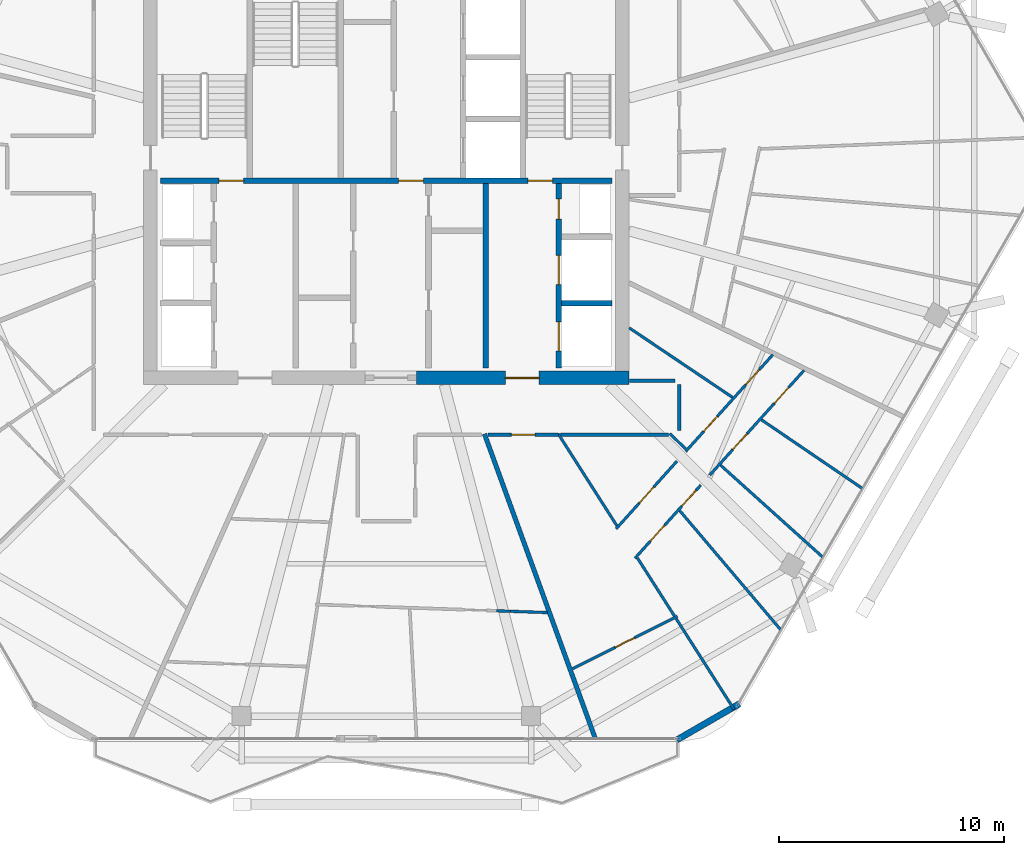
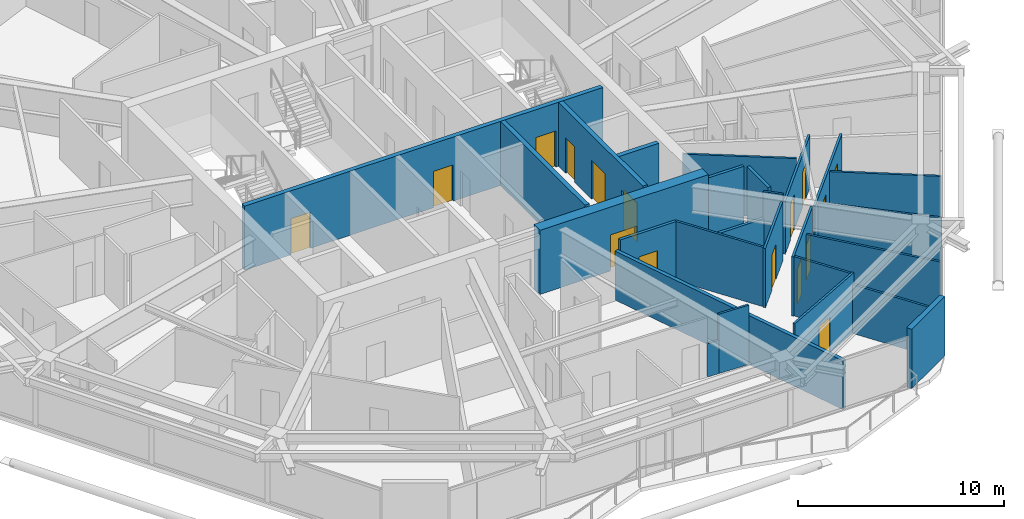
# One storey, part 21 of 26: 26 walls, 16 doors, 16 openings.
"""IFC4 building model written with IfcOpenShell, lengths in metres."""

from ifc_helpers import new_model, si_unit, direction, frame, frame_2d, origin, place, context, subcontext, project, spatial, rectangle, extrude, material, layer, layer_set, type_object, element, fill, save


model = new_model("IFC4")

# Units and contexts
model_context = context("Model", 3, precision=1e-05, world=origin(), true_north=direction((0.0, 1.0)))
body_context = subcontext(model_context, "Body", "Model", "MODEL_VIEW")
ifc_project = project(units=[si_unit("LENGTHUNIT", "METRE"), si_unit("AREAUNIT", "SQUARE_METRE"), si_unit("VOLUMEUNIT", "CUBIC_METRE"), si_unit("PLANEANGLEUNIT", "RADIAN"), si_unit("MASSUNIT", "GRAM", prefix="KILO")], contexts=[model_context])

# Site, building, storey
site_placement = place(None, origin())
site = spatial("IfcSite", under=ifc_project, at=site_placement, CompositionType="ELEMENT")
building_placement = place(site_placement, origin())
building = spatial("IfcBuilding", under=site, at=building_placement, Name="Zuhravey Tower", CompositionType="ELEMENT")
storey_placement = place(building_placement, frame((0.0, 0.0, 299.60009765625)))
storey = spatial("IfcBuildingStorey", under=building, at=storey_placement, Name="L76", CompositionType="ELEMENT", Elevation=299.60009765625)

# Wall, opening, door
ifc_material_1 = material(Name="Concrete C50/60", Category="concrete")
ifc_layer_1 = layer(ifc_material_1, 0.60009765625)
ifc_layer_set_1 = layer_set([ifc_layer_1], Name="Concrete C50/60")
wall_type_1 = type_object("IfcWallType", Name="Core Shear Wall 600", PredefinedType="SHEAR", material=ifc_layer_set_1)
wall_1_placement = place(storey_placement, frame((37.35009765625, 22.5, 0.0), z_axis=(0.0, 0.0, 1.0), x_axis=(1.0, 0.0, 0.0)))
wall_1 = element("IfcWall", 1, at=wall_1_placement, inside=storey, type_object=wall_type_1, Name="L76 South-East Core Shear Wall CW60", PredefinedType="SHEAR", context=body_context, shape_type="SweptSolid", body=[
    extrude(rectangle(XDim=9.449951171875, YDim=0.60009765625, at=frame_2d((4.72509765625, 0.0))), origin(), (0.0, 0.0, 1.0), 3.7998046875),
])
opening_1_placement = place(wall_1_placement, frame((3.949951171875, 0.0, 0.0)))
opening_1 = element("IfcOpeningElement", 2, at=opening_1_placement, cuts=wall_1, Name="Opening FFD1", PredefinedType="OPENING", context=body_context, shape_type="SweptSolid", body=[
    extrude(rectangle(XDim=1.5, YDim=2.14990234375, at=frame_2d((0.75, 1.074951171875))), frame((0.0, 0.31201171875, 0.0), z_axis=(0.0, -1.0, 0.0), x_axis=(1.0, 0.0, 0.0)), (0.0, 0.0, 1.0), 0.6240234375),
])
ifc_material_2 = material(Name="Galvanised fire-rated steel leaf", Category="steel")
door_type_1 = type_object("IfcDoorType", Name="Firefighting Lobby Double Door 1500x2150", OperationType="DOUBLE_DOOR_SINGLE_SWING", PredefinedType="DOOR", material=ifc_material_2)
door_1_placement = place(opening_1_placement, origin())
door_1 = element("IfcDoor", 3, at=door_1_placement, inside=storey, type_object=door_type_1, Name="L76 Firefighting Lobby East Door", OperationType="DOUBLE_DOOR_SINGLE_SWING", OverallHeight=2.14990234375, OverallWidth=1.5, PredefinedType="DOOR", context=body_context, shape_type="SweptSolid", body=[
    extrude(rectangle(XDim=1.5, YDim=2.14990234375, at=frame_2d((0.75, 1.074951171875))), frame((0.0, 0.02490234375, 0.0), z_axis=(0.0, -1.0, 0.0), x_axis=(1.0, 0.0, 0.0)), (0.0, 0.0, 1.0), 0.050048828125),
])
fill(opening_1, door_1)

ifc_material_3 = material(Name="Gypsum fire-rated stud partition")
ifc_layer_2 = layer(ifc_material_3, 0.159912109375)
ifc_layer_set_2 = layer_set([ifc_layer_2], Name="Gypsum fire-rated stud partition")
wall_type_2 = type_object("IfcWallType", Name="Corridor Fire Partition 160", PredefinedType="PARTITIONING", material=ifc_layer_set_2)
wall_2_placement = place(storey_placement, frame((40.519287109375, 19.969970703125, 0.0), z_axis=(0.0, 0.0, 1.0), x_axis=(1.0, 0.0, 0.0)))
wall_2 = element("IfcWall", 4, at=wall_2_placement, inside=storey, type_object=wall_type_2, Name="L76 IW16 Partition 038", PredefinedType="PARTITIONING", context=body_context, shape_type="SweptSolid", body=[
    extrude(rectangle(XDim=3.1328125, YDim=0.159912109375, at=frame_2d((1.56640625, 0.0))), origin(), (0.0, 0.0, 1.0), 3.52001953125),
])
opening_2_placement = place(wall_2_placement, frame((1.04150390625, 0.0, 0.0)))
opening_2 = element("IfcOpeningElement", 5, at=opening_2_placement, cuts=wall_2, Name="Opening APD1", PredefinedType="OPENING", context=body_context, shape_type="SweptSolid", body=[
    extrude(rectangle(XDim=1.050048828125, YDim=2.14990234375, at=frame_2d((0.52490234375, 1.074951171875))), frame((0.0, 0.092041015625, 0.0), z_axis=(0.0, -1.0, 0.0), x_axis=(1.0, 0.0, 0.0)), (0.0, 0.0, 1.0), 0.183837890625),
])
ifc_material_4 = material(Name="Solid-core oak fire-rated leaf")
door_type_2 = type_object("IfcDoorType", Name="Apartment Entrance Fire Door 1050x2150", OperationType="NOTDEFINED", PredefinedType="DOOR", material=ifc_material_4)
door_2_placement = place(opening_2_placement, frame((1.050048828125, 0.0, 0.0), z_axis=(0.0, 0.0, 1.0), x_axis=(-1.0, 0.0, 0.0)))
door_2 = element("IfcDoor", 6, at=door_2_placement, inside=storey, type_object=door_type_2, Name="L76 Door 038.1", OperationType="SINGLE_SWING_LEFT", OverallHeight=2.14990234375, OverallWidth=1.050048828125, PredefinedType="DOOR", context=body_context, shape_type="SweptSolid", body=[
    extrude(rectangle(XDim=1.050048828125, YDim=2.14990234375, at=frame_2d((0.52490234375, 1.074951171875))), frame((0.0, 0.02490234375, 0.0), z_axis=(0.0, -1.0, 0.0), x_axis=(1.0, 0.0, 0.0)), (0.0, 0.0, 1.0), 0.050048828125),
])
fill(opening_2, door_2)

# Walls
wall_3_placement = place(storey_placement, frame((43.756591796875, 19.969970703125, 0.0), z_axis=(0.0, 0.0, 1.0), x_axis=(1.0, 0.0, 0.0)))
element("IfcWall", 7, at=wall_3_placement, inside=storey, type_object=wall_type_2, Name="L76 IW16 Partition 134", PredefinedType="PARTITIONING", context=body_context, shape_type="SweptSolid", body=[
    extrude(rectangle(XDim=4.809326171875, YDim=0.159912109375, at=frame_2d((2.40478515625, 0.0))), origin(), (0.0, 0.0, 1.0), 1.969970703125),
])
wall_4_placement = place(storey_placement, frame((49.030029296875, 20.14990234375, 0.0), z_axis=(0.0, 0.0, 1.0), x_axis=(0.0, 1.0, 0.0)))
element("IfcWall", 8, at=wall_4_placement, inside=storey, type_object=wall_type_2, Name="L76 IW16 Partition 135", PredefinedType="PARTITIONING", context=body_context, shape_type="SweptSolid", body=[
    extrude(rectangle(XDim=2.050048828125, YDim=0.159912109375, at=frame_2d((1.02490234375, 0.0))), origin(), (0.0, 0.0, 1.0), 3.52001953125),
])
wall_5_placement = place(storey_placement, frame((48.85009765625, 22.3798828125, 0.0), z_axis=(0.0, 0.0, 1.0), x_axis=(-1.0, 0.0, 0.0)))
element("IfcWall", 9, at=wall_5_placement, inside=storey, type_object=wall_type_2, Name="L76 IW16 Partition 136", PredefinedType="PARTITIONING", context=body_context, shape_type="SweptSolid", body=[
    extrude(rectangle(XDim=2.030029296875, YDim=0.159912109375, at=frame_2d((1.01513671875, 0.0))), origin(), (0.0, 0.0, 1.0), 3.52001953125),
])
ifc_material_5 = material(Name="Precast concrete C40/50", Category="concrete")
ifc_layer_3 = layer(ifc_material_5, 0.280029296875)
ifc_layer_set_3 = layer_set([ifc_layer_3], Name="Precast concrete C40/50")
wall_type_3 = type_object("IfcWallType", Name="Crown Architectural Wall 280", PredefinedType="SOLIDWALL", material=ifc_layer_set_3)
wall_6_placement = place(storey_placement, frame((51.714599609375, 7.996337890625, 0.0), z_axis=(0.0, 0.0, 1.0), x_axis=(-0.866028773314, -0.499994163758, 0.0)))
element("IfcWall", 10, at=wall_6_placement, inside=storey, type_object=wall_type_3, Name="L76 Rounded Corner Closure Wall EW28-02", PredefinedType="SOLIDWALL", context=body_context, shape_type="SweptSolid", body=[
    extrude(rectangle(XDim=3.21484375, YDim=0.280029296875, at=frame_2d((1.607421875, 0.0))), origin(), (0.0, 0.0, 1.0), 3.52001953125),
])

# Wall, openings, doors
ifc_layer_4 = layer(ifc_material_1, 0.25)
ifc_layer_set_4 = layer_set([ifc_layer_4], Name="Concrete C50/60")
wall_type_4 = type_object("IfcWallType", Name="Firefighting Shaft & Stair Wall 250", PredefinedType="SOLIDWALL", material=ifc_layer_set_4)
wall_7_placement = place(storey_placement, frame((25.949951171875, 31.27490234375, 0.0), z_axis=(0.0, 0.0, 1.0), x_axis=(1.0, 0.0, 0.0)))
wall_7 = element("IfcWall", 11, at=wall_7_placement, inside=storey, type_object=wall_type_4, Name="L76 FW25 Shaft Wall 003", PredefinedType="SOLIDWALL", context=body_context, shape_type="SweptSolid", body=[
    extrude(rectangle(XDim=20.10009765625, YDim=0.25, at=frame_2d((10.050048828125, 0.0))), origin(), (0.0, 0.0, 1.0), 3.7998046875),
])
opening_3_placement = place(wall_7_placement, frame((2.60009765625, 0.0, 0.0)))
opening_3 = element("IfcOpeningElement", 12, at=opening_3_placement, cuts=wall_7, Name="Opening STD1", PredefinedType="OPENING", context=body_context, shape_type="SweptSolid", body=[
    extrude(rectangle(XDim=1.10009765625, YDim=2.14990234375, at=frame_2d((0.550048828125, 1.074951171875))), frame((0.0, 0.136962890625, 0.0), z_axis=(0.0, -1.0, 0.0), x_axis=(1.0, 0.0, 0.0)), (0.0, 0.0, 1.0), 0.27392578125),
])
opening_4_placement = place(wall_7_placement, frame((10.60009765625, 0.0, 0.0)))
opening_4 = element("IfcOpeningElement", 13, at=opening_4_placement, cuts=wall_7, Name="Opening STD1", PredefinedType="OPENING", context=body_context, shape_type="SweptSolid", body=[
    extrude(rectangle(XDim=1.10009765625, YDim=2.14990234375, at=frame_2d((0.550048828125, 1.074951171875))), frame((0.0, 0.136962890625, 0.0), z_axis=(0.0, -1.0, 0.0), x_axis=(1.0, 0.0, 0.0)), (0.0, 0.0, 1.0), 0.27392578125),
])
opening_5_placement = place(wall_7_placement, frame((16.35009765625, 0.0, 0.0)))
opening_5 = element("IfcOpeningElement", 14, at=opening_5_placement, cuts=wall_7, Name="Opening STD1", PredefinedType="OPENING", context=body_context, shape_type="SweptSolid", body=[
    extrude(rectangle(XDim=1.10009765625, YDim=2.14990234375, at=frame_2d((0.550048828125, 1.074951171875))), frame((0.0, 0.136962890625, 0.0), z_axis=(0.0, -1.0, 0.0), x_axis=(1.0, 0.0, 0.0)), (0.0, 0.0, 1.0), 0.27392578125),
])
door_type_3 = type_object("IfcDoorType", Name="Protected Stair Fire Door 1100x2150", OperationType="NOTDEFINED", PredefinedType="USERDEFINED", material=ifc_material_2)
door_3_placement = place(opening_3_placement, origin())
door_3 = element("IfcDoor", 15, at=door_3_placement, inside=storey, type_object=door_type_3, Name="L76 FFL-W to ST1 Door", ObjectType="EXITDOOR", OperationType="SINGLE_SWING_LEFT", OverallHeight=2.14990234375, OverallWidth=1.10009765625, PredefinedType="USERDEFINED", context=body_context, shape_type="SweptSolid", body=[
    extrude(rectangle(XDim=1.10009765625, YDim=2.14990234375, at=frame_2d((0.550048828125, 1.074951171875))), frame((0.0, 0.02490234375, 0.0), z_axis=(0.0, -1.0, 0.0), x_axis=(1.0, 0.0, 0.0)), (0.0, 0.0, 1.0), 0.050048828125),
])
fill(opening_3, door_3)
door_4_placement = place(opening_4_placement, origin())
door_4 = element("IfcDoor", 16, at=door_4_placement, inside=storey, type_object=door_type_3, Name="L76 Core Lobby Link Door", ObjectType="EXITDOOR", OperationType="SINGLE_SWING_RIGHT", OverallHeight=2.14990234375, OverallWidth=1.10009765625, PredefinedType="USERDEFINED", context=body_context, shape_type="SweptSolid", body=[
    extrude(rectangle(XDim=1.10009765625, YDim=2.14990234375, at=frame_2d((0.550048828125, 1.074951171875))), frame((0.0, 0.02490234375, 0.0), z_axis=(0.0, -1.0, 0.0), x_axis=(1.0, 0.0, 0.0)), (0.0, 0.0, 1.0), 0.050048828125),
])
fill(opening_4, door_4)
door_5_placement = place(opening_5_placement, origin())
door_5 = element("IfcDoor", 17, at=door_5_placement, inside=storey, type_object=door_type_3, Name="L76 FFL-E to ST2 Door", ObjectType="EXITDOOR", OperationType="SINGLE_SWING_LEFT", OverallHeight=2.14990234375, OverallWidth=1.10009765625, PredefinedType="USERDEFINED", context=body_context, shape_type="SweptSolid", body=[
    extrude(rectangle(XDim=1.10009765625, YDim=2.14990234375, at=frame_2d((0.550048828125, 1.074951171875))), frame((0.0, 0.02490234375, 0.0), z_axis=(0.0, -1.0, 0.0), x_axis=(1.0, 0.0, 0.0)), (0.0, 0.0, 1.0), 0.050048828125),
])
fill(opening_5, door_5)

# Walls
wall_8_placement = place(storey_placement, frame((40.425048828125, 22.949951171875, 0.0), z_axis=(0.0, 0.0, 1.0), x_axis=(0.0, 1.0, 0.0)))
element("IfcWall", 18, at=wall_8_placement, inside=storey, type_object=wall_type_4, Name="L76 FW25 Shaft Wall 017", PredefinedType="SOLIDWALL", context=body_context, shape_type="SweptSolid", body=[
    extrude(rectangle(XDim=8.199951171875, YDim=0.25, at=frame_2d((4.10009765625, 0.0))), origin(), (0.0, 0.0, 1.0), 3.7998046875),
])
wall_9_placement = place(storey_placement, frame((43.800048828125, 25.824951171875, 0.0), z_axis=(0.0, 0.0, 1.0), x_axis=(1.0, 0.0, 0.0)))
element("IfcWall", 19, at=wall_9_placement, inside=storey, type_object=wall_type_4, Name="L76 FW25 Shaft Wall 018", PredefinedType="SOLIDWALL", context=body_context, shape_type="SweptSolid", body=[
    extrude(rectangle(XDim=2.25, YDim=0.25, at=frame_2d((1.125, 0.0))), origin(), (0.0, 0.0, 1.0), 3.7998046875),
])

# Wall, openings, doors
wall_10_placement = place(storey_placement, frame((43.675048828125, 22.949951171875, 0.0), z_axis=(0.0, 0.0, 1.0), x_axis=(0.0, 1.0, 0.0)))
wall_10 = element("IfcWall", 20, at=wall_10_placement, inside=storey, type_object=wall_type_4, Name="L76 FW25 Shaft Wall 020", PredefinedType="SOLIDWALL", context=body_context, shape_type="SweptSolid", body=[
    extrude(rectangle(XDim=8.199951171875, YDim=0.25, at=frame_2d((4.10009765625, 0.0))), origin(), (0.0, 0.0, 1.0), 3.7998046875),
])
opening_6_placement = place(wall_10_placement, frame((0.75, 0.0, 0.0)))
opening_6 = element("IfcOpeningElement", 21, at=opening_6_placement, cuts=wall_10, Name="Opening LD2", PredefinedType="OPENING", context=body_context, shape_type="SweptSolid", body=[
    extrude(rectangle(XDim=1.300048828125, YDim=2.300048828125, at=frame_2d((0.64990234375, 1.14990234375))), frame((0.0, 0.136962890625, 0.0), z_axis=(0.0, -1.0, 0.0), x_axis=(1.0, 0.0, 0.0)), (0.0, 0.0, 1.0), 0.27392578125),
])
opening_7_placement = place(wall_10_placement, frame((3.699951171875, 0.0, 0.0)))
opening_7 = element("IfcOpeningElement", 22, at=opening_7_placement, cuts=wall_10, Name="Opening LD2", PredefinedType="OPENING", context=body_context, shape_type="SweptSolid", body=[
    extrude(rectangle(XDim=1.300048828125, YDim=2.300048828125, at=frame_2d((0.64990234375, 1.14990234375))), frame((0.0, 0.136962890625, 0.0), z_axis=(0.0, -1.0, 0.0), x_axis=(1.0, 0.0, 0.0)), (0.0, 0.0, 1.0), 0.27392578125),
])
opening_8_placement = place(wall_10_placement, frame((6.6201171875, 0.0, 0.0)))
opening_8 = element("IfcOpeningElement", 23, at=opening_8_placement, cuts=wall_10, Name="Opening RSD1", PredefinedType="OPENING", context=body_context, shape_type="SweptSolid", body=[
    extrude(rectangle(XDim=0.89990234375, YDim=2.10009765625, at=frame_2d((0.449951171875, 1.050048828125))), frame((0.0, 0.136962890625, 0.0), z_axis=(0.0, -1.0, 0.0), x_axis=(1.0, 0.0, 0.0)), (0.0, 0.0, 1.0), 0.27392578125),
])
ifc_material_6 = material(Name="Brushed stainless steel", Category="steel")
door_type_4 = type_object("IfcDoorType", Name="Freight & Stretcher Lift Sliding Door 1300x2300", OperationType="DOUBLE_DOOR_SLIDING", PredefinedType="DOOR", material=ifc_material_6)
door_6_placement = place(opening_6_placement, origin())
door_6 = element("IfcDoor", 24, at=door_6_placement, inside=storey, type_object=door_type_4, Name="L76 Lift FF2 Landing Door", OperationType="DOUBLE_DOOR_SLIDING", OverallHeight=2.300048828125, OverallWidth=1.300048828125, PredefinedType="DOOR", context=body_context, shape_type="SweptSolid", body=[
    extrude(rectangle(XDim=1.300048828125, YDim=2.300048828125, at=frame_2d((0.64990234375, 1.14990234375))), frame((0.0, 0.02490234375, 0.0), z_axis=(0.0, -1.0, 0.0), x_axis=(1.0, 0.0, 0.0)), (0.0, 0.0, 1.0), 0.050048828125),
])
fill(opening_6, door_6)
door_7_placement = place(opening_7_placement, origin())
door_7 = element("IfcDoor", 25, at=door_7_placement, inside=storey, type_object=door_type_4, Name="L76 Lift SV1 Landing Door", OperationType="DOUBLE_DOOR_SLIDING", OverallHeight=2.300048828125, OverallWidth=1.300048828125, PredefinedType="DOOR", context=body_context, shape_type="SweptSolid", body=[
    extrude(rectangle(XDim=1.300048828125, YDim=2.300048828125, at=frame_2d((0.64990234375, 1.14990234375))), frame((0.0, 0.02490234375, 0.0), z_axis=(0.0, -1.0, 0.0), x_axis=(1.0, 0.0, 0.0)), (0.0, 0.0, 1.0), 0.050048828125),
])
fill(opening_7, door_7)
ifc_material_7 = material(Name="Galvanised fire-rated steel access leaf", Category="steel")
door_type_5 = type_object("IfcDoorType", Name="Riser & Shaft Access Fire Door 900x2100", OperationType="NOTDEFINED", PredefinedType="DOOR", material=ifc_material_7)
door_8_placement = place(opening_8_placement, origin())
door_8 = element("IfcDoor", 26, at=door_8_placement, inside=storey, type_object=door_type_5, Name="L76 Plumbing Riser Door", OperationType="SINGLE_SWING_LEFT", OverallHeight=2.10009765625, OverallWidth=0.89990234375, PredefinedType="DOOR", context=body_context, shape_type="SweptSolid", body=[
    extrude(rectangle(XDim=0.89990234375, YDim=2.10009765625, at=frame_2d((0.449951171875, 1.050048828125))), frame((0.0, 0.02490234375, 0.0), z_axis=(0.0, -1.0, 0.0), x_axis=(1.0, 0.0, 0.0)), (0.0, 0.0, 1.0), 0.050048828125),
])
fill(opening_8, door_8)

# Wall
ifc_material_8 = material(Name="Gypsum double-stud party assembly")
ifc_layer_5 = layer(ifc_material_8, 0.199951171875)
ifc_layer_set_5 = layer_set([ifc_layer_5], Name="Gypsum double-stud party assembly")
wall_type_5 = type_object("IfcWallType", Name="Inter-Tenancy Party Wall 200", PredefinedType="PARTITIONING", material=ifc_layer_set_5)
wall_11_placement = place(storey_placement, frame((40.364013671875, 20.010009765625, 0.0), z_axis=(0.0, 0.0, 1.0), x_axis=(0.342019888345, -0.939692713591, 0.0)))
element("IfcWall", 27, at=wall_11_placement, inside=storey, type_object=wall_type_5, Name="L76 IW20 Partition 085", PredefinedType="PARTITIONING", context=body_context, shape_type="SweptSolid", body=[
    extrude(rectangle(XDim=14.44482421875, YDim=0.199951171875, at=frame_2d((7.222412109375, 0.0))), origin(), (0.0, 0.0, 1.0), 2.89990234375),
])

# Wall, opening, door
ifc_material_9 = material(Name="Gypsum metal-stud partition")
ifc_layer_6 = layer(ifc_material_9, 0.1201171875)
ifc_layer_set_6 = layer_set([ifc_layer_6], Name="Gypsum metal-stud partition")
wall_type_6 = type_object("IfcWallType", Name="Unit Internal Partition 120", PredefinedType="PARTITIONING", material=ifc_layer_set_6)
wall_12_placement = place(storey_placement, frame((44.2841796875, 9.556884765625, 0.0), z_axis=(0.0, 0.0, 1.0), x_axis=(0.894782574854, 0.446502120642, 0.0)))
wall_12 = element("IfcWall", 28, at=wall_12_placement, inside=storey, type_object=wall_type_6, Name="L76 IW12 Partition 033", PredefinedType="PARTITIONING", context=body_context, shape_type="SweptSolid", body=[
    extrude(rectangle(XDim=5.216796875, YDim=0.1201171875, at=frame_2d((2.6083984375, 0.0))), origin(), (0.0, 0.0, 1.0), 3.52001953125),
])
opening_9_placement = place(wall_12_placement, frame((2.13330078125, 0.0, 0.0)))
opening_9 = element("IfcOpeningElement", 29, at=opening_9_placement, cuts=wall_12, Name="Opening IND1", PredefinedType="OPENING", context=body_context, shape_type="SweptSolid", body=[
    extrude(rectangle(XDim=0.949951171875, YDim=2.10009765625, at=frame_2d((0.47509765625, 1.050048828125))), frame((0.0, 0.072021484375, 0.0), z_axis=(0.0, -1.0, 0.0), x_axis=(1.0, 0.0, 0.0)), (0.0, 0.0, 1.0), 0.14404296875),
])
ifc_material_10 = material(Name="Painted engineered timber leaf", Category="wood")
door_type_6 = type_object("IfcDoorType", Name="Internal Room & Bedroom Door 950x2100", OperationType="NOTDEFINED", PredefinedType="DOOR", material=ifc_material_10)
door_9_placement = place(opening_9_placement, frame((0.949951171875, 0.0, 0.0), z_axis=(0.0, 0.0, 1.0), x_axis=(-1.0, 0.0, 0.0)))
door_9 = element("IfcDoor", 30, at=door_9_placement, inside=storey, type_object=door_type_6, Name="Apartment L76-03 Family Study Door", OperationType="SINGLE_SWING_LEFT", OverallHeight=2.10009765625, OverallWidth=0.949951171875, PredefinedType="DOOR", context=body_context, shape_type="SweptSolid", body=[
    extrude(rectangle(XDim=0.949951171875, YDim=2.10009765625, at=frame_2d((0.47509765625, 1.050048828125))), frame((0.0, 0.02490234375, 0.0), z_axis=(0.0, -1.0, 0.0), x_axis=(1.0, 0.0, 0.0)), (0.0, 0.0, 1.0), 0.050048828125),
])
fill(opening_9, door_9)

wall_13_placement = place(storey_placement, frame((46.226806640625, 15.785888671875, 0.0), z_axis=(0.0, 0.0, 1.0), x_axis=(0.668851247882, 0.743396265935, 0.0)))
wall_13 = element("IfcWall", 31, at=wall_13_placement, inside=storey, type_object=wall_type_6, Name="L76 IW12 Partition 034", PredefinedType="PARTITIONING", context=body_context, shape_type="SweptSolid", body=[
    extrude(rectangle(XDim=4.04150390625, YDim=0.1201171875, at=frame_2d((2.020751953125, 0.0))), origin(), (0.0, 0.0, 1.0), 3.52001953125),
])
opening_10_placement = place(wall_13_placement, frame((1.547607421875, 0.0, 0.0)))
opening_10 = element("IfcOpeningElement", 32, at=opening_10_placement, cuts=wall_13, Name="Opening IND1", PredefinedType="OPENING", context=body_context, shape_type="SweptSolid", body=[
    extrude(rectangle(XDim=0.949951171875, YDim=2.10009765625, at=frame_2d((0.47509765625, 1.050048828125))), frame((0.0, 0.072021484375, 0.0), z_axis=(0.0, -1.0, 0.0), x_axis=(1.0, 0.0, 0.0)), (0.0, 0.0, 1.0), 0.14404296875),
])
door_10_placement = place(opening_10_placement, origin())
door_10 = element("IfcDoor", 33, at=door_10_placement, inside=storey, type_object=door_type_6, Name="Apartment L76-03 Kitchen Door", OperationType="SINGLE_SWING_RIGHT", OverallHeight=2.10009765625, OverallWidth=0.949951171875, PredefinedType="DOOR", context=body_context, shape_type="SweptSolid", body=[
    extrude(rectangle(XDim=0.949951171875, YDim=2.10009765625, at=frame_2d((0.47509765625, 1.050048828125))), frame((0.0, 0.02490234375, 0.0), z_axis=(0.0, -1.0, 0.0), x_axis=(1.0, 0.0, 0.0)), (0.0, 0.0, 1.0), 0.050048828125),
])
fill(opening_10, door_10)

# Wall, openings, doors
wall_14_placement = place(storey_placement, frame((49.3251953125, 19.2294921875, 0.0), z_axis=(0.0, 0.0, 1.0), x_axis=(0.668871595747, 0.743377957975, 0.0)))
wall_14 = element("IfcWall", 34, at=wall_14_placement, inside=storey, type_object=wall_type_6, Name="L76 IW12 Partition 035", PredefinedType="PARTITIONING", context=body_context, shape_type="SweptSolid", body=[
    extrude(rectangle(XDim=5.79345703125, YDim=0.1201171875, at=frame_2d((2.896728515625, 0.0))), origin(), (0.0, 0.0, 1.0), 3.119873046875),
])
opening_11_placement = place(wall_14_placement, frame((1.194580078125, 0.0, 0.0)))
opening_11 = element("IfcOpeningElement", 35, at=opening_11_placement, cuts=wall_14, Name="Opening WCD1", PredefinedType="OPENING", context=body_context, shape_type="SweptSolid", body=[
    extrude(rectangle(XDim=0.89990234375, YDim=2.10009765625, at=frame_2d((0.449951171875, 1.050048828125))), frame((0.0, 0.072021484375, 0.0), z_axis=(0.0, -1.0, 0.0), x_axis=(1.0, 0.0, 0.0)), (0.0, 0.0, 1.0), 0.14404296875),
])
opening_12_placement = place(wall_14_placement, frame((3.989013671875, 0.0, 0.0)))
opening_12 = element("IfcOpeningElement", 36, at=opening_12_placement, cuts=wall_14, Name="Opening WCD1", PredefinedType="OPENING", context=body_context, shape_type="SweptSolid", body=[
    extrude(rectangle(XDim=0.89990234375, YDim=2.10009765625, at=frame_2d((0.449951171875, 1.050048828125))), frame((0.0, 0.072021484375, 0.0), z_axis=(0.0, -1.0, 0.0), x_axis=(1.0, 0.0, 0.0)), (0.0, 0.0, 1.0), 0.14404296875),
])
ifc_material_11 = material(Name="Moisture-resistant timber leaf", Category="wood")
door_type_7 = type_object("IfcDoorType", Name="Bathroom & WC Internal Door 900x2100", OperationType="NOTDEFINED", PredefinedType="DOOR", material=ifc_material_11)
door_11_placement = place(opening_11_placement, origin())
door_11 = element("IfcDoor", 37, at=door_11_placement, inside=storey, type_object=door_type_7, Name="Apartment L76-03 Bathroom 1 Door", OperationType="SINGLE_SWING_LEFT", OverallHeight=2.10009765625, OverallWidth=0.89990234375, PredefinedType="DOOR", context=body_context, shape_type="SweptSolid", body=[
    extrude(rectangle(XDim=0.89990234375, YDim=2.10009765625, at=frame_2d((0.449951171875, 1.050048828125))), frame((0.0, 0.02490234375, 0.0), z_axis=(0.0, -1.0, 0.0), x_axis=(1.0, 0.0, 0.0)), (0.0, 0.0, 1.0), 0.050048828125),
])
fill(opening_11, door_11)
door_12_placement = place(opening_12_placement, origin())
door_12 = element("IfcDoor", 38, at=door_12_placement, inside=storey, type_object=door_type_7, Name="Apartment L76-03 Bathroom 2 Door", OperationType="SINGLE_SWING_RIGHT", OverallHeight=2.10009765625, OverallWidth=0.89990234375, PredefinedType="DOOR", context=body_context, shape_type="SweptSolid", body=[
    extrude(rectangle(XDim=0.89990234375, YDim=2.10009765625, at=frame_2d((0.449951171875, 1.050048828125))), frame((0.0, 0.02490234375, 0.0), z_axis=(0.0, -1.0, 0.0), x_axis=(1.0, 0.0, 0.0)), (0.0, 0.0, 1.0), 0.050048828125),
])
fill(opening_12, door_12)

wall_15_placement = place(storey_placement, frame((47.06396484375, 14.473876953125, 0.0), z_axis=(0.0, 0.0, 1.0), x_axis=(0.668884765289, 0.743366108162, 0.0)))
wall_15 = element("IfcWall", 39, at=wall_15_placement, inside=storey, type_object=wall_type_6, Name="L76 IW12 Partition 036", PredefinedType="PARTITIONING", context=body_context, shape_type="SweptSolid", body=[
    extrude(rectangle(XDim=4.3857421875, YDim=0.1201171875, at=frame_2d((2.19287109375, 0.0))), origin(), (0.0, 0.0, 1.0), 3.52001953125),
])
opening_13_placement = place(wall_15_placement, frame((1.033447265625, 0.0, 0.0)))
opening_13 = element("IfcOpeningElement", 40, at=opening_13_placement, cuts=wall_15, Name="Opening IND1", PredefinedType="OPENING", context=body_context, shape_type="SweptSolid", body=[
    extrude(rectangle(XDim=0.949951171875, YDim=2.10009765625, at=frame_2d((0.47509765625, 1.050048828125))), frame((0.0, 0.072021484375, 0.0), z_axis=(0.0, -1.0, 0.0), x_axis=(1.0, 0.0, 0.0)), (0.0, 0.0, 1.0), 0.14404296875),
])
opening_14_placement = place(wall_15_placement, frame((3.1259765625, 0.0, 0.0)))
opening_14 = element("IfcOpeningElement", 41, at=opening_14_placement, cuts=wall_15, Name="Opening IND1", PredefinedType="OPENING", context=body_context, shape_type="SweptSolid", body=[
    extrude(rectangle(XDim=0.949951171875, YDim=2.10009765625, at=frame_2d((0.47509765625, 1.050048828125))), frame((0.0, 0.072021484375, 0.0), z_axis=(0.0, -1.0, 0.0), x_axis=(1.0, 0.0, 0.0)), (0.0, 0.0, 1.0), 0.14404296875),
])
door_13_placement = place(opening_13_placement, frame((0.949951171875, 0.0, 0.0), z_axis=(0.0, 0.0, 1.0), x_axis=(-1.0, 0.0, 0.0)))
door_13 = element("IfcDoor", 42, at=door_13_placement, inside=storey, type_object=door_type_6, Name="Apartment L76-03 Bedroom 1 Door", OperationType="SINGLE_SWING_LEFT", OverallHeight=2.10009765625, OverallWidth=0.949951171875, PredefinedType="DOOR", context=body_context, shape_type="SweptSolid", body=[
    extrude(rectangle(XDim=0.949951171875, YDim=2.10009765625, at=frame_2d((0.47509765625, 1.050048828125))), frame((0.0, 0.02490234375, 0.0), z_axis=(0.0, -1.0, 0.0), x_axis=(1.0, 0.0, 0.0)), (0.0, 0.0, 1.0), 0.050048828125),
])
fill(opening_13, door_13)
door_14_placement = place(opening_14_placement, frame((0.949951171875, 0.0, 0.0), z_axis=(0.0, 0.0, 1.0), x_axis=(-1.0, 0.0, 0.0)))
door_14 = element("IfcDoor", 43, at=door_14_placement, inside=storey, type_object=door_type_6, Name="Apartment L76-03 Bedroom 2 Door", OperationType="SINGLE_SWING_RIGHT", OverallHeight=2.10009765625, OverallWidth=0.949951171875, PredefinedType="DOOR", context=body_context, shape_type="SweptSolid", body=[
    extrude(rectangle(XDim=0.949951171875, YDim=2.10009765625, at=frame_2d((0.47509765625, 1.050048828125))), frame((0.0, 0.02490234375, 0.0), z_axis=(0.0, -1.0, 0.0), x_axis=(1.0, 0.0, 0.0)), (0.0, 0.0, 1.0), 0.050048828125),
])
fill(opening_14, door_14)

wall_16_placement = place(storey_placement, frame((50.392578125, 18.173095703125, 0.0), z_axis=(0.0, 0.0, 1.0), x_axis=(0.668861628605, 0.743386926021, 0.0)))
wall_16 = element("IfcWall", 44, at=wall_16_placement, inside=storey, type_object=wall_type_6, Name="L76 IW12 Partition 037", PredefinedType="PARTITIONING", context=body_context, shape_type="SweptSolid", body=[
    extrude(rectangle(XDim=6.280029296875, YDim=0.1201171875, at=frame_2d((3.14013671875, 0.0))), origin(), (0.0, 0.0, 1.0), 3.119873046875),
])
opening_15_placement = place(wall_16_placement, frame((1.532958984375, 0.0, 0.0)))
opening_15 = element("IfcOpeningElement", 45, at=opening_15_placement, cuts=wall_16, Name="Opening IND1", PredefinedType="OPENING", context=body_context, shape_type="SweptSolid", body=[
    extrude(rectangle(XDim=0.949951171875, YDim=2.10009765625, at=frame_2d((0.47509765625, 1.050048828125))), frame((0.0, 0.072021484375, 0.0), z_axis=(0.0, -1.0, 0.0), x_axis=(1.0, 0.0, 0.0)), (0.0, 0.0, 1.0), 0.14404296875),
])
opening_16_placement = place(wall_16_placement, frame((4.296630859375, 0.0, 0.0)))
opening_16 = element("IfcOpeningElement", 46, at=opening_16_placement, cuts=wall_16, Name="Opening IND1", PredefinedType="OPENING", context=body_context, shape_type="SweptSolid", body=[
    extrude(rectangle(XDim=0.949951171875, YDim=2.10009765625, at=frame_2d((0.47509765625, 1.050048828125))), frame((0.0, 0.072021484375, 0.0), z_axis=(0.0, -1.0, 0.0), x_axis=(1.0, 0.0, 0.0)), (0.0, 0.0, 1.0), 0.14404296875),
])
door_15_placement = place(opening_15_placement, frame((0.949951171875, 0.0, 0.0), z_axis=(0.0, 0.0, 1.0), x_axis=(-1.0, 0.0, 0.0)))
door_15 = element("IfcDoor", 47, at=door_15_placement, inside=storey, type_object=door_type_6, Name="Apartment L76-03 Bedroom 3 Door", OperationType="SINGLE_SWING_LEFT", OverallHeight=2.10009765625, OverallWidth=0.949951171875, PredefinedType="DOOR", context=body_context, shape_type="SweptSolid", body=[
    extrude(rectangle(XDim=0.949951171875, YDim=2.10009765625, at=frame_2d((0.47509765625, 1.050048828125))), frame((0.0, 0.02490234375, 0.0), z_axis=(0.0, -1.0, 0.0), x_axis=(1.0, 0.0, 0.0)), (0.0, 0.0, 1.0), 0.050048828125),
])
fill(opening_15, door_15)
door_16_placement = place(opening_16_placement, frame((0.949951171875, 0.0, 0.0), z_axis=(0.0, 0.0, 1.0), x_axis=(-1.0, 0.0, 0.0)))
door_16 = element("IfcDoor", 48, at=door_16_placement, inside=storey, type_object=door_type_6, Name="Apartment L76-03 Bedroom 4 Door", OperationType="SINGLE_SWING_RIGHT", OverallHeight=2.10009765625, OverallWidth=0.949951171875, PredefinedType="DOOR", context=body_context, shape_type="SweptSolid", body=[
    extrude(rectangle(XDim=0.949951171875, YDim=2.10009765625, at=frame_2d((0.47509765625, 1.050048828125))), frame((0.0, 0.02490234375, 0.0), z_axis=(0.0, -1.0, 0.0), x_axis=(1.0, 0.0, 0.0)), (0.0, 0.0, 1.0), 0.050048828125),
])
fill(opening_16, door_16)

# Walls
wall_17_placement = place(storey_placement, frame((40.90380859375, 12.135009765625, 0.0), z_axis=(0.0, 0.0, 1.0), x_axis=(0.9993862032, -0.035031655016, 0.0)))
element("IfcWall", 49, at=wall_17_placement, inside=storey, type_object=wall_type_6, Name="L76 IW12 Partition 078", PredefinedType="PARTITIONING", context=body_context, shape_type="SweptSolid", body=[
    extrude(rectangle(XDim=0.620361328125, YDim=0.1201171875, at=frame_2d((0.31005859375, 0.0))), origin(), (0.0, 0.0, 1.0), 1.969970703125),
])
wall_18_placement = place(storey_placement, frame((41.523681640625, 12.11328125, 0.0), z_axis=(0.0, 0.0, 1.0), x_axis=(0.999392358074, -0.03485562543, 0.0)))
element("IfcWall", 50, at=wall_18_placement, inside=storey, type_object=wall_type_6, Name="L76 IW12 Partition 079", PredefinedType="PARTITIONING", context=body_context, shape_type="SweptSolid", body=[
    extrude(rectangle(XDim=1.64599609375, YDim=0.1201171875, at=frame_2d((0.822998046875, 0.0))), origin(), (0.0, 0.0, 1.0), 3.52001953125),
])
wall_19_placement = place(storey_placement, frame((48.61181640625, 20.02001953125, 0.0), z_axis=(0.0, 0.0, 1.0), x_axis=(0.725214586294, -0.688522914525, 0.0)))
element("IfcWall", 51, at=wall_19_placement, inside=storey, type_object=wall_type_6, Name="L76 IW12 Partition 086", PredefinedType="PARTITIONING", context=body_context, shape_type="SweptSolid", body=[
    extrude(rectangle(XDim=0.991455078125, YDim=0.1201171875, at=frame_2d((0.49560546875, 0.0))), origin(), (0.0, 0.0, 1.0), 3.52001953125),
])
wall_20_placement = place(storey_placement, frame((46.80810546875, 24.72900390625, 0.0), z_axis=(0.0, 0.0, 1.0), x_axis=(0.829729536965, -0.558165652372, 0.0)))
element("IfcWall", 52, at=wall_20_placement, inside=storey, type_object=wall_type_6, Name="L76 IW12 Partition 087", PredefinedType="PARTITIONING", context=body_context, shape_type="SweptSolid", body=[
    extrude(rectangle(XDim=5.5361328125, YDim=0.1201171875, at=frame_2d((2.76806640625, 0.0))), origin(), (0.0, 0.0, 1.0), 3.52001953125),
])
wall_21_placement = place(storey_placement, frame((49.0595703125, 16.58984375, 0.0), z_axis=(0.0, 0.0, 1.0), x_axis=(0.646504412068, -0.76291024713, 0.0)))
element("IfcWall", 53, at=wall_21_placement, inside=storey, type_object=wall_type_6, Name="L76 IW12 Partition 088", PredefinedType="PARTITIONING", context=body_context, shape_type="SweptSolid", body=[
    extrude(rectangle(XDim=6.96728515625, YDim=0.1201171875, at=frame_2d((3.483642578125, 0.0))), origin(), (0.0, 0.0, 1.0), 2.89990234375),
])
wall_22_placement = place(storey_placement, frame((50.87890625, 18.6123046875, 0.0), z_axis=(0.0, 0.0, 1.0), x_axis=(0.743377347037, -0.668872274738, 0.0)))
element("IfcWall", 54, at=wall_22_placement, inside=storey, type_object=wall_type_6, Name="L76 IW12 Partition 089", PredefinedType="PARTITIONING", context=body_context, shape_type="SweptSolid", body=[
    extrude(rectangle(XDim=6.127685546875, YDim=0.1201171875, at=frame_2d((3.06396484375, 0.0))), origin(), (0.0, 0.0, 1.0), 2.89990234375),
])
wall_23_placement = place(storey_placement, frame((52.69873046875, 20.634521484375, 0.0), z_axis=(0.0, 0.0, 1.0), x_axis=(0.826692890459, -0.562653414515, 0.0)))
element("IfcWall", 55, at=wall_23_placement, inside=storey, type_object=wall_type_6, Name="L76 IW12 Partition 090", PredefinedType="PARTITIONING", context=body_context, shape_type="SweptSolid", body=[
    extrude(rectangle(XDim=5.4443359375, YDim=0.1201171875, at=frame_2d((2.72216796875, 0.0))), origin(), (0.0, 0.0, 1.0), 2.89990234375),
])
wall_24_placement = place(storey_placement, frame((43.652099609375, 20.00732421875, 0.0), z_axis=(0.0, 0.0, 1.0), x_axis=(0.537879291551, -0.843021866692, 0.0)))
element("IfcWall", 56, at=wall_24_placement, inside=storey, type_object=wall_type_6, Name="L76 IW12 Partition 091", PredefinedType="PARTITIONING", context=body_context, shape_type="SweptSolid", body=[
    extrude(rectangle(XDim=4.84521484375, YDim=0.1201171875, at=frame_2d((2.422607421875, 0.0))), origin(), (0.0, 0.0, 1.0), 3.52001953125),
])
wall_25_placement = place(storey_placement, frame((47.17138671875, 14.491455078125, 0.0), z_axis=(0.0, 0.0, 1.0), x_axis=(0.537861418624, -0.843033270017, 0.0)))
element("IfcWall", 57, at=wall_25_placement, inside=storey, type_object=wall_type_6, Name="L76 IW12 Partition 092", PredefinedType="PARTITIONING", context=body_context, shape_type="SweptSolid", body=[
    extrude(rectangle(XDim=3.0751953125, YDim=0.1201171875, at=frame_2d((1.53759765625, 0.0))), origin(), (0.0, 0.0, 1.0), 3.52001953125),
])
wall_26_placement = place(storey_placement, frame((48.89892578125, 11.78369140625, 0.0), z_axis=(0.0, 0.0, 1.0), x_axis=(0.537919937196, -0.84299593188, 0.0)))
element("IfcWall", 58, at=wall_26_placement, inside=storey, type_object=wall_type_6, Name="L76 IW12 Partition 093", PredefinedType="PARTITIONING", context=body_context, shape_type="SweptSolid", body=[
    extrude(rectangle(XDim=4.792724609375, YDim=0.1201171875, at=frame_2d((2.396484375, 0.0))), origin(), (0.0, 0.0, 1.0), 2.89990234375),
])

save(model, "model.ifc")
